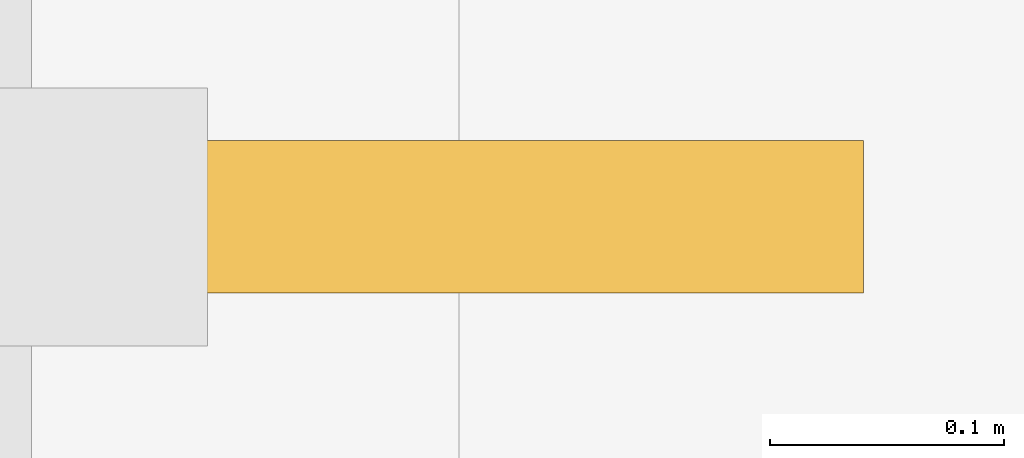
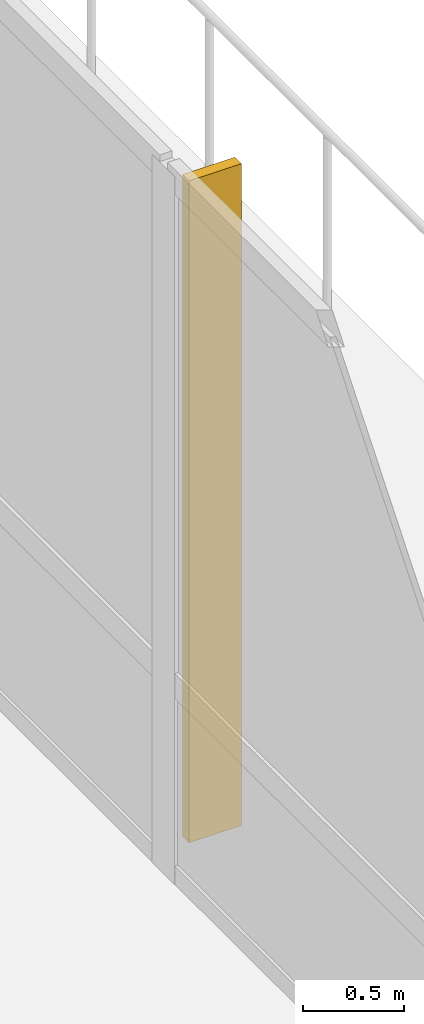
# One storey, part 27 of 27: 1 shading device.
"""IFC4 building model written with IfcOpenShell, lengths in metres."""

from ifc_helpers import new_model, si_unit, direction, frame, origin, place, context, subcontext, project, spatial, polyline, outline, extrude, material, layer, layer_set, type_object, element, save


model = new_model("IFC4")

# Units and contexts
model_context = context("Model", 3, precision=1e-05, world=origin(), true_north=direction((0.0, 1.0)))
body_context = subcontext(model_context, "Body", "Model", "MODEL_VIEW")
ifc_project = project(units=[si_unit("LENGTHUNIT", "METRE"), si_unit("AREAUNIT", "SQUARE_METRE"), si_unit("VOLUMEUNIT", "CUBIC_METRE"), si_unit("PLANEANGLEUNIT", "RADIAN"), si_unit("MASSUNIT", "GRAM", prefix="KILO")], contexts=[model_context])

# Site, building, storey
site_placement = place(None, origin())
site = spatial("IfcSite", under=ifc_project, at=site_placement, CompositionType="ELEMENT")
building_placement = place(site_placement, origin())
building = spatial("IfcBuilding", under=site, at=building_placement, Name="Qalmaran Belvedere Hotel", CompositionType="ELEMENT")
storey_placement = place(building_placement, frame((0.0, 0.0, 5.39990234375)))
storey = spatial("IfcBuildingStorey", under=building, at=storey_placement, Name="L01", CompositionType="ELEMENT", Elevation=5.39990234375)

# Shading device
ifc_material = material(Name="Anodised Bronze Aluminium", Category="aluminium")
ifc_layer = layer(ifc_material, 0.06494140625, Name="Anodised Bronze Aluminium")
ifc_layer_set = layer_set([ifc_layer], Name="Anodised Bronze Aluminium")
shading_device_type = type_object("IfcShadingDeviceType", Name="FIN-BRNZ-300", PredefinedType="USERDEFINED", material=ifc_layer_set)
shading_device_placement = place(storey_placement, frame((0.0, 0.0, 0.16015625)))
element("IfcShadingDevice", 1, at=shading_device_placement, inside=storey, type_object=shading_device_type, Name="L01 Bronze Fin 5", ObjectType="FIN", PredefinedType="USERDEFINED", context=body_context, shape_type="SweptSolid", body=[
    extrude(outline(polyline([(75.87255859375, 42.154296875), (76.172607421875, 42.154296875), (76.172607421875, 42.21923828125), (75.87255859375, 42.21923828125), (75.87255859375, 42.154296875)])), origin(), (0.0, 0.0, 1.0), 4.02001953125),
])

save(model, "model.ifc")
